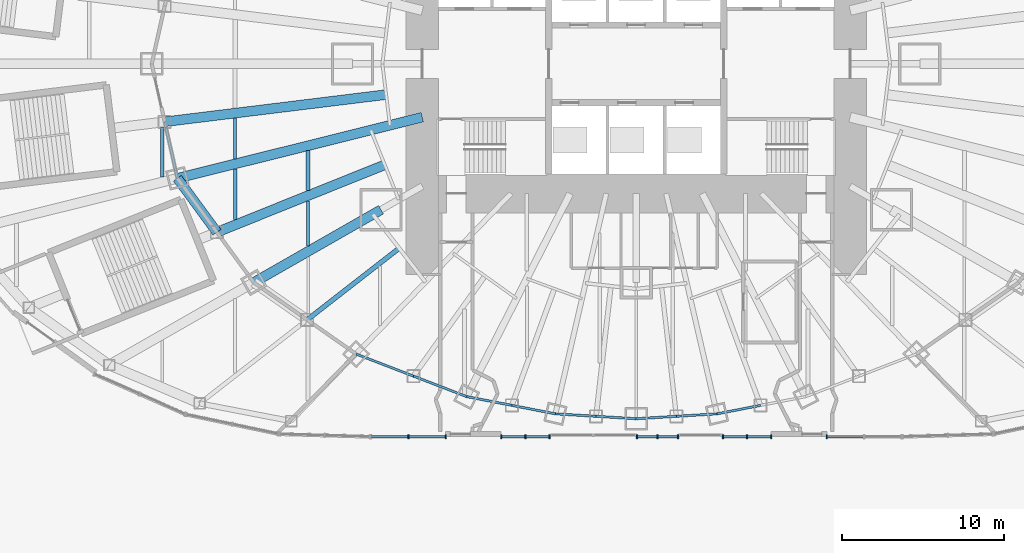
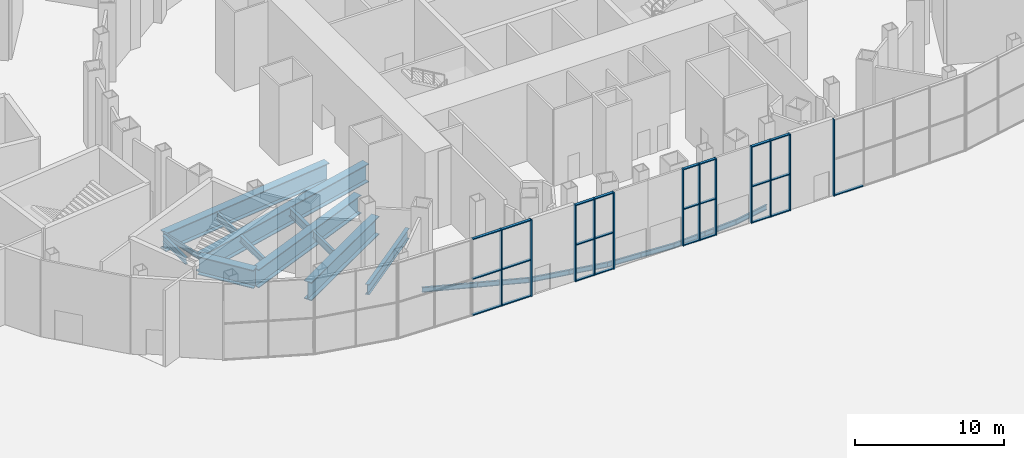
# One storey, part 3 of 47: 37 members, 21 beams, 5 elements without a shape of their own.
"""IFC4 building model written with IfcOpenShell, lengths in metres."""

from ifc_helpers import new_model, si_unit, direction, frame, origin, origin_2d, place, context, subcontext, project, spatial, rectangle, i_section, extrude, material, material_profile, profile_set, type_object, element, aggregate, save


model = new_model("IFC4")

# Units and contexts
model_context = context("Model", 3, precision=1e-05, world=origin(), true_north=direction((0.0, 1.0)))
body_context = subcontext(model_context, "Body", "Model", "MODEL_VIEW")
ifc_project = project(units=[si_unit("LENGTHUNIT", "METRE"), si_unit("AREAUNIT", "SQUARE_METRE"), si_unit("VOLUMEUNIT", "CUBIC_METRE"), si_unit("PLANEANGLEUNIT", "RADIAN"), si_unit("MASSUNIT", "GRAM", prefix="KILO")], contexts=[model_context])

# Site, building, storey
site_placement = place(None, origin())
site = spatial("IfcSite", under=ifc_project, at=site_placement, CompositionType="ELEMENT")
building_placement = place(site_placement, origin())
building = spatial("IfcBuilding", under=site, at=building_placement, Name="Lantaw Convention Tower", CompositionType="ELEMENT")
storey_placement = place(building_placement, origin())
storey = spatial("IfcBuildingStorey", under=building, at=storey_placement, Name="L00", CompositionType="ELEMENT", Elevation=0.0)

# Beams
ifc_material_1 = material(Name="Steel ASTM A572 Grade 50", Category="steel")
ifc_material_profile_1 = material_profile(ifc_material_1, i_section(OverallWidth=0.60009765625, OverallDepth=1.5, WebThickness=0.02490234375, FlangeThickness=0.06005859375, at=origin_2d()), Name="PG1500X600X25X60")
ifc_profile_set_1 = profile_set([ifc_material_profile_1], Name="Steel ASTM A572 Grade 50")
beam_type_1 = type_object("IfcBeamType", Name="Beam E PG1500X600X25X60", PredefinedType="SPANDREL", material=ifc_profile_set_1)
beam_1_placement = place(storey_placement, frame((-28.31787109375, -7.060302734375, -1.199951171875), z_axis=(0.591255937291, -0.806483984105, 0.0), x_axis=(0.806483984105, 0.591255937291, 0.0)))
element("IfcBeam", 1, at=beam_1_placement, inside=storey, type_object=beam_type_1, Name="Edge beam 14", PredefinedType="SPANDREL", context=body_context, shape_type="SweptSolid", body=[
    extrude(i_section(OverallWidth=0.60009765625, OverallDepth=1.5, WebThickness=0.02490234375, FlangeThickness=0.06005859375, at=origin_2d()), origin(), (0.0, 0.0, 1.0), 4.126708984375),
])
ifc_material_2 = material(Name="Steel ASTM A992", Category="steel")
ifc_material_profile_2 = material_profile(ifc_material_2, i_section(OverallWidth=0.140380859375, OverallDepth=0.40380859375, WebThickness=0.007080078125, FlangeThickness=0.01123046875, FilletRadius=0.01025390625, at=origin_2d()), Name="W16X31")
ifc_profile_set_2 = profile_set([ifc_material_profile_2], Name="Steel ASTM A992")
beam_type_2 = type_object("IfcBeamType", Name="Beam E W16X31", PredefinedType="SPANDREL", material=ifc_profile_set_2)
beam_2_placement = place(storey_placement, frame((-29.099365234375, -3.572998046875, -0.65185546875), z_axis=(0.218673326171, -0.97579812278, 0.0), x_axis=(0.97579812278, 0.218673326171, 0.0)))
element("IfcBeam", 2, at=beam_2_placement, inside=storey, type_object=beam_type_2, Name="Edge beam 13", PredefinedType="SPANDREL", context=body_context, shape_type="SweptSolid", body=[
    extrude(i_section(OverallWidth=0.140380859375, OverallDepth=0.40380859375, WebThickness=0.007080078125, FlangeThickness=0.01123046875, FilletRadius=0.01025390625, at=origin_2d()), origin(), (0.0, 0.0, 1.0), 3.57373046875),
])
beam_3_placement = place(storey_placement, frame((-17.290771484375, -17.9052734375, -0.65185546875), z_axis=(0.933224646415, -0.359293416754, 0.0), x_axis=(0.359293416754, 0.933224646415, 0.0)))
element("IfcBeam", 3, at=beam_3_placement, inside=storey, type_object=beam_type_2, Name="Edge beam 16", PredefinedType="SPANDREL", context=body_context, shape_type="SweptSolid", body=[
    extrude(i_section(OverallWidth=0.140380859375, OverallDepth=0.40380859375, WebThickness=0.007080078125, FlangeThickness=0.01123046875, FilletRadius=0.01025390625, at=origin_2d()), origin(), (0.0, 0.0, 1.0), 3.799072265625),
])
beam_4_placement = place(storey_placement, frame((-13.745361328125, -19.270263671875, -0.65185546875), z_axis=(0.933241815012, -0.359248820058, 0.0), x_axis=(0.359248820058, 0.933241815012, 0.0)))
element("IfcBeam", 4, at=beam_4_placement, inside=storey, type_object=beam_type_2, Name="Edge beam 16", PredefinedType="SPANDREL", context=body_context, shape_type="SweptSolid", body=[
    extrude(i_section(OverallWidth=0.140380859375, OverallDepth=0.40380859375, WebThickness=0.007080078125, FlangeThickness=0.01123046875, FilletRadius=0.01025390625, at=origin_2d()), origin(), (0.0, 0.0, 1.0), 3.517578125),
])
beam_5_placement = place(storey_placement, frame((-10.462646484375, -20.533935546875, -0.65185546875), z_axis=(0.98163593748, -0.190763954266, 0.0), x_axis=(0.190763954266, 0.98163593748, 0.0)))
element("IfcBeam", 5, at=beam_5_placement, inside=storey, type_object=beam_type_2, Name="Edge beam 17", PredefinedType="SPANDREL", context=body_context, shape_type="SweptSolid", body=[
    extrude(i_section(OverallWidth=0.140380859375, OverallDepth=0.40380859375, WebThickness=0.007080078125, FlangeThickness=0.01123046875, FilletRadius=0.01025390625, at=origin_2d()), origin(), (0.0, 0.0, 1.0), 2.84375),
])
beam_6_placement = place(storey_placement, frame((-7.671142578125, -21.076416015625, -0.65185546875), z_axis=(0.981637218105, -0.190757364289, 0.0), x_axis=(0.190757364289, 0.981637218105, 0.0)))
element("IfcBeam", 6, at=beam_6_placement, inside=storey, type_object=beam_type_2, Name="Edge beam 17", PredefinedType="SPANDREL", context=body_context, shape_type="SweptSolid", body=[
    extrude(i_section(OverallWidth=0.140380859375, OverallDepth=0.40380859375, WebThickness=0.007080078125, FlangeThickness=0.01123046875, FilletRadius=0.01025390625, at=origin_2d()), origin(), (0.0, 0.0, 1.0), 2.735107421875),
])
beam_7_placement = place(storey_placement, frame((-4.986328125, -21.59814453125, -0.65185546875), z_axis=(0.998172405641, -0.060430527186, 0.0), x_axis=(0.060430527186, 0.998172405641, 0.0)))
element("IfcBeam", 7, at=beam_7_placement, inside=storey, type_object=beam_type_2, Name="Edge beam 18", PredefinedType="SPANDREL", context=body_context, shape_type="SweptSolid", body=[
    extrude(i_section(OverallWidth=0.140380859375, OverallDepth=0.40380859375, WebThickness=0.007080078125, FlangeThickness=0.01123046875, FilletRadius=0.01025390625, at=origin_2d()), origin(), (0.0, 0.0, 1.0), 2.512939453125),
])
for number, where, z_axis, x_axis, name in (
    (8, (-2.47802734375, -21.75, -0.65185546875), (0.998175328335, -0.060382231685, 0.0), (0.060382231685, 0.998175328335, 0.0), "Edge beam 18"),
    (9, (0.0, -21.89990234375, -0.65185546875), (0.998175328335, 0.060382231685, 0.0), (-0.060382231685, 0.998175328335, 0.0), "Edge beam 19"),
):
    element("IfcBeam", number, at=place(storey_placement, frame(where, z_axis=z_axis, x_axis=x_axis)), inside=storey, type_object=beam_type_2, Name=name, PredefinedType="SPANDREL", context=body_context, shape_type="SweptSolid", body=[
        extrude(i_section(OverallWidth=0.140380859375, OverallDepth=0.40380859375, WebThickness=0.007080078125, FlangeThickness=0.01123046875, FilletRadius=0.01025390625, at=origin_2d()), origin(), (0.0, 0.0, 1.0), 2.482666015625),
    ])
beam_8_placement = place(storey_placement, frame((2.47802734375, -21.75, -0.65185546875), z_axis=(0.998172405641, 0.060430527186, 0.0), x_axis=(-0.060430527186, 0.998172405641, 0.0)))
element("IfcBeam", 10, at=beam_8_placement, inside=storey, type_object=beam_type_2, Name="Edge beam 19", PredefinedType="SPANDREL", context=body_context, shape_type="SweptSolid", body=[
    extrude(i_section(OverallWidth=0.140380859375, OverallDepth=0.40380859375, WebThickness=0.007080078125, FlangeThickness=0.01123046875, FilletRadius=0.01025390625, at=origin_2d()), origin(), (0.0, 0.0, 1.0), 2.512939453125),
])
beam_9_placement = place(storey_placement, frame((4.986328125, -21.59814453125, -0.65185546875), z_axis=(0.981637218105, 0.190757364289, 0.0), x_axis=(-0.190757364289, 0.981637218105, 0.0)))
element("IfcBeam", 11, at=beam_9_placement, inside=storey, type_object=beam_type_2, Name="Edge beam 20", PredefinedType="SPANDREL", context=body_context, shape_type="SweptSolid", body=[
    extrude(i_section(OverallWidth=0.140380859375, OverallDepth=0.40380859375, WebThickness=0.007080078125, FlangeThickness=0.01123046875, FilletRadius=0.01025390625, at=origin_2d()), origin(), (0.0, 0.0, 1.0), 2.735107421875),
])
ifc_material_profile_3 = material_profile(ifc_material_1, i_section(OverallWidth=0.60009765625, OverallDepth=1.5, WebThickness=0.02490234375, FlangeThickness=0.06005859375, at=origin_2d()), Name="PG1500X600X25X60")
ifc_profile_set_3 = profile_set([ifc_material_profile_3], Name="Steel ASTM A572 Grade 50")
beam_type_3 = type_object("IfcBeamType", Name="Beam G PG1500X600X25X60", PredefinedType="BEAM", material=ifc_profile_set_3)
beam_10_placement = place(storey_placement, frame((-15.433349609375, -1.89501953125, -1.199951171875), z_axis=(-0.99254612715, -0.121869542874, 0.0), x_axis=(0.121869542874, -0.99254612715, 0.0)))
element("IfcBeam", 12, at=beam_10_placement, inside=storey, type_object=beam_type_3, Name="Floor girder on bisector 13", PredefinedType="BEAM", context=body_context, shape_type="SweptSolid", body=[
    extrude(i_section(OverallWidth=0.60009765625, OverallDepth=1.5, WebThickness=0.02490234375, FlangeThickness=0.06005859375, at=origin_2d()), origin(), (0.0, 0.0, 1.0), 13.7685546875),
])
beam_11_placement = place(storey_placement, frame((-13.199951171875, -3.291015625, -1.199951171875), z_axis=(-0.970296233567, -0.241919860957, 0.0), x_axis=(0.241919860957, -0.970296233567, 0.0)))
element("IfcBeam", 13, at=beam_11_placement, inside=storey, type_object=beam_type_3, Name="Floor girder on ray 14", PredefinedType="BEAM", context=body_context, shape_type="SweptSolid", body=[
    extrude(i_section(OverallWidth=0.60009765625, OverallDepth=1.5, WebThickness=0.02490234375, FlangeThickness=0.06005859375, at=origin_2d()), origin(), (0.0, 0.0, 1.0), 15.580810546875),
])
beam_12_placement = place(storey_placement, frame((-15.52001953125, -6.23046875, -1.199951171875), z_axis=(-0.928018900171, -0.372533113864, 0.0), x_axis=(0.372533113864, -0.928018900171, 0.0)))
element("IfcBeam", 14, at=beam_12_placement, inside=storey, type_object=beam_type_3, Name="Floor girder on bisector 14", PredefinedType="BEAM", context=body_context, shape_type="SweptSolid", body=[
    extrude(i_section(OverallWidth=0.60009765625, OverallDepth=1.5, WebThickness=0.02490234375, FlangeThickness=0.06005859375, at=origin_2d()), origin(), (0.0, 0.0, 1.0), 11.161376953125),
])
beam_13_placement = place(storey_placement, frame((-15.75, -9.0, -1.199951171875), z_axis=(-0.868244802791, -0.496136032179, 0.0), x_axis=(0.496136032179, -0.868244802791, 0.0)))
element("IfcBeam", 15, at=beam_13_placement, inside=storey, type_object=beam_type_3, Name="Floor girder on ray 15", PredefinedType="BEAM", context=body_context, shape_type="SweptSolid", body=[
    extrude(i_section(OverallWidth=0.60009765625, OverallDepth=1.5, WebThickness=0.02490234375, FlangeThickness=0.06005859375, at=origin_2d()), origin(), (0.0, 0.0, 1.0), 9.046875),
])
ifc_material_profile_4 = material_profile(ifc_material_2, i_section(OverallWidth=0.2919921875, OverallDepth=0.845703125, WebThickness=0.015380859375, FlangeThickness=0.0244140625, FilletRadius=0.01513671875, at=origin_2d()), Name="W33X141")
ifc_profile_set_4 = profile_set([ifc_material_profile_4], Name="Steel ASTM A992")
beam_type_4 = type_object("IfcBeamType", Name="Beam G W33X141", PredefinedType="BEAM", material=ifc_profile_set_4)
beam_14_placement = place(storey_placement, frame((-14.628173828125, -11.37646484375, -0.872802734375), z_axis=(-0.789377792374, -0.613907729961, 0.0), x_axis=(0.613907729961, -0.789377792374, 0.0)))
element("IfcBeam", 16, at=beam_14_placement, inside=storey, type_object=beam_type_4, Name="Floor girder on bisector 15", PredefinedType="BEAM", context=body_context, shape_type="SweptSolid", body=[
    extrude(i_section(OverallWidth=0.2919921875, OverallDepth=0.845703125, WebThickness=0.015380859375, FlangeThickness=0.0244140625, FilletRadius=0.01513671875, at=origin_2d()), origin(), (0.0, 0.0, 1.0), 7.196044921875),
])
ifc_material_profile_5 = material_profile(ifc_material_2, i_section(OverallWidth=0.209228515625, OverallDepth=0.533447265625, WebThickness=0.01025390625, FlangeThickness=0.015625, FilletRadius=0.012939453125, at=origin_2d()), Name="W21X62")
ifc_profile_set_5 = profile_set([ifc_material_profile_5], Name="Steel ASTM A992")
beam_type_5 = type_object("IfcBeamType", Name="Beam J W21X62", PredefinedType="JOIST", material=ifc_profile_set_5)
beam_15_placement = place(storey_placement, frame((-29.25, -6.983642578125, -0.716796875), z_axis=(0.0, 1.0, 0.0), x_axis=(-1.0, 0.0, 0.0)))
element("IfcBeam", 17, at=beam_15_placement, inside=storey, type_object=beam_type_5, Name="Floor joist", PredefinedType="JOIST", context=body_context, shape_type="SweptSolid", body=[
    extrude(i_section(OverallWidth=0.209228515625, OverallDepth=0.533447265625, WebThickness=0.01025390625, FlangeThickness=0.015625, FilletRadius=0.012939453125, at=origin_2d()), origin(), (0.0, 0.0, 1.0), 3.08984375),
])
ifc_material_profile_6 = material_profile(ifc_material_2, i_section(OverallWidth=0.2099609375, OverallDepth=0.535888671875, WebThickness=0.010986328125, FlangeThickness=0.017333984375, FilletRadius=0.012939453125, at=origin_2d()), Name="W21X68")
ifc_profile_set_6 = profile_set([ifc_material_profile_6], Name="Steel ASTM A992")
beam_type_6 = type_object("IfcBeamType", Name="Beam J W21X68", PredefinedType="JOIST", material=ifc_profile_set_6)
beam_16_placement = place(storey_placement, frame((-24.75, -9.6123046875, -0.718017578125), z_axis=(0.0, 1.0, 0.0), x_axis=(-1.0, 0.0, 0.0)))
element("IfcBeam", 18, at=beam_16_placement, inside=storey, type_object=beam_type_6, Name="Floor joist", PredefinedType="JOIST", context=body_context, shape_type="SweptSolid", body=[
    extrude(i_section(OverallWidth=0.2099609375, OverallDepth=0.535888671875, WebThickness=0.010986328125, FlangeThickness=0.017333984375, FilletRadius=0.012939453125, at=origin_2d()), origin(), (0.0, 0.0, 1.0), 3.13232421875),
])
ifc_material_profile_7 = material_profile(ifc_material_2, i_section(OverallWidth=0.177978515625, OverallDepth=0.599365234375, WebThickness=0.010009765625, FlangeThickness=0.012939453125, FilletRadius=0.012939453125, at=origin_2d()), Name="W24X55")
ifc_profile_set_7 = profile_set([ifc_material_profile_7], Name="Steel ASTM A992")
beam_type_7 = type_object("IfcBeamType", Name="Beam J W24X55", PredefinedType="JOIST", material=ifc_profile_set_7)
beam_17_placement = place(storey_placement, frame((-24.75, -5.861572265625, -0.749755859375), z_axis=(0.0, 1.0, 0.0), x_axis=(-1.0, 0.0, 0.0)))
element("IfcBeam", 19, at=beam_17_placement, inside=storey, type_object=beam_type_7, Name="Floor joist", PredefinedType="JOIST", context=body_context, shape_type="SweptSolid", body=[
    extrude(i_section(OverallWidth=0.177978515625, OverallDepth=0.599365234375, WebThickness=0.010009765625, FlangeThickness=0.012939453125, FilletRadius=0.012939453125, at=origin_2d()), origin(), (0.0, 0.0, 1.0), 2.5205078125),
])
beam_18_placement = place(storey_placement, frame((-20.25, -11.225830078125, -0.749755859375), z_axis=(0.0, 1.0, 0.0), x_axis=(-1.0, 0.0, 0.0)))
element("IfcBeam", 20, at=beam_18_placement, inside=storey, type_object=beam_type_7, Name="Floor joist", PredefinedType="JOIST", context=body_context, shape_type="SweptSolid", body=[
    extrude(i_section(OverallWidth=0.177978515625, OverallDepth=0.599365234375, WebThickness=0.010009765625, FlangeThickness=0.012939453125, FilletRadius=0.012939453125, at=origin_2d()), origin(), (0.0, 0.0, 1.0), 2.7734375),
])
ifc_material_profile_8 = material_profile(ifc_material_2, i_section(OverallWidth=0.25390625, OverallDepth=0.683349609375, WebThickness=0.012451171875, FlangeThickness=0.01904296875, FilletRadius=0.01513671875, at=origin_2d()), Name="W27X94")
ifc_profile_set_8 = profile_set([ifc_material_profile_8], Name="Steel ASTM A992")
beam_type_8 = type_object("IfcBeamType", Name="Beam J W27X94", PredefinedType="JOIST", material=ifc_profile_set_8)
beam_19_placement = place(storey_placement, frame((-20.25, -7.805908203125, -0.791748046875), z_axis=(0.0, 1.0, 0.0), x_axis=(-1.0, 0.0, 0.0)))
element("IfcBeam", 21, at=beam_19_placement, inside=storey, type_object=beam_type_8, Name="Floor joist", PredefinedType="JOIST", context=body_context, shape_type="SweptSolid", body=[
    extrude(i_section(OverallWidth=0.25390625, OverallDepth=0.683349609375, WebThickness=0.012451171875, FlangeThickness=0.01904296875, FilletRadius=0.01513671875, at=origin_2d()), origin(), (0.0, 0.0, 1.0), 2.44775390625),
])

# Curtain wall, members
ifc_material_3 = material(Name="Aluminium framed curtain wall", Category="aluminium")
curtain_wall_type = type_object("IfcCurtainWallType", Name="Podium storefront curtain wall, pale aluminium", PredefinedType="USERDEFINED", material=ifc_material_3)
curtain_wall_1_placement = place(storey_placement, origin())
curtain_wall_1 = element("IfcCurtainWall", 22, at=curtain_wall_1_placement, inside=storey, type_object=curtain_wall_type, Name="Podium storefront curtain wall, pale aluminium L00", ObjectType="STOREFRONT", PredefinedType="USERDEFINED")
ifc_material_4 = material(Name="Aluminium 6063-T6", Category="aluminium")
ifc_material_profile_9 = material_profile(ifc_material_4, rectangle(XDim=0.25, YDim=0.080078125, at=origin_2d()), Name="CW-P mullion 80x250")
ifc_profile_set_9 = profile_set([ifc_material_profile_9], Name="Aluminium 6063-T6")
member_type_1 = type_object("IfcMemberType", Name="CW-P mullion 80x250", PredefinedType="MULLION", material=ifc_profile_set_9)
member_1_placement = place(storey_placement, frame((-14.0625, -23.0, 0.0), z_axis=(0.0, 0.0, 1.0), x_axis=(0.0, 1.0, 0.0)))
member_1 = element("IfcMember", 23, at=member_1_placement, type_object=member_type_1, Name="CW-P mullion 2", PredefinedType="MULLION", context=body_context, shape_type="SweptSolid", body=[
    extrude(rectangle(XDim=0.25, YDim=0.080078125, at=origin_2d()), origin(), (0.0, 0.0, 1.0), 6.300048828125),
])
member_2_placement = place(storey_placement, frame((-11.759033203125, -23.0, 0.0), z_axis=(0.0, 0.0, 1.0), x_axis=(0.0, 1.0, 0.0)))
member_2 = element("IfcMember", 24, at=member_2_placement, type_object=member_type_1, Name="CW-P mullion 3", PredefinedType="MULLION", context=body_context, shape_type="SweptSolid", body=[
    extrude(rectangle(XDim=0.25, YDim=0.080078125, at=origin_2d()), origin(), (0.0, 0.0, 1.0), 6.300048828125),
])

curtain_wall_2_placement = place(storey_placement, origin())
curtain_wall_2 = element("IfcCurtainWall", 25, at=curtain_wall_2_placement, inside=storey, type_object=curtain_wall_type, Name="Podium storefront curtain wall, pale aluminium L00", ObjectType="STOREFRONT", PredefinedType="USERDEFINED")
member_3_placement = place(storey_placement, frame((-8.331298828125, -23.0, 0.0), z_axis=(0.0, 0.0, 1.0), x_axis=(0.0, 1.0, 0.0)))
member_3 = element("IfcMember", 26, at=member_3_placement, type_object=member_type_1, Name="CW-P mullion 1", PredefinedType="MULLION", context=body_context, shape_type="SweptSolid", body=[
    extrude(rectangle(XDim=0.25, YDim=0.080078125, at=origin_2d()), origin(), (0.0, 0.0, 1.0), 6.300048828125),
])
member_4_placement = place(storey_placement, frame((-6.840576171875, -23.0, 0.0), z_axis=(0.0, 0.0, 1.0), x_axis=(0.0, 1.0, 0.0)))
member_4 = element("IfcMember", 27, at=member_4_placement, type_object=member_type_1, Name="CW-P mullion 2", PredefinedType="MULLION", context=body_context, shape_type="SweptSolid", body=[
    extrude(rectangle(XDim=0.25, YDim=0.080078125, at=origin_2d()), origin(), (0.0, 0.0, 1.0), 6.300048828125),
])
member_5_placement = place(storey_placement, frame((-5.349853515625, -23.0, 0.0), z_axis=(0.0, 0.0, 1.0), x_axis=(0.0, 1.0, 0.0)))
member_5 = element("IfcMember", 28, at=member_5_placement, type_object=member_type_1, Name="CW-P mullion 3", PredefinedType="MULLION", context=body_context, shape_type="SweptSolid", body=[
    extrude(rectangle(XDim=0.25, YDim=0.080078125, at=origin_2d()), origin(), (0.0, 0.0, 1.0), 6.300048828125),
])

curtain_wall_3_placement = place(storey_placement, origin())
curtain_wall_3 = element("IfcCurtainWall", 29, at=curtain_wall_3_placement, inside=storey, type_object=curtain_wall_type, Name="Podium storefront curtain wall, pale aluminium L00", ObjectType="STOREFRONT", PredefinedType="USERDEFINED")
member_6_placement = place(storey_placement, frame((0.0400390625, -23.0, 0.0), z_axis=(0.0, 0.0, 1.0), x_axis=(0.0, 1.0, 0.0)))
member_6 = element("IfcMember", 30, at=member_6_placement, type_object=member_type_1, Name="CW-P mullion 1", PredefinedType="MULLION", context=body_context, shape_type="SweptSolid", body=[
    extrude(rectangle(XDim=0.25, YDim=0.080078125, at=origin_2d()), origin(), (0.0, 0.0, 1.0), 6.300048828125),
])
member_7_placement = place(storey_placement, frame((1.310302734375, -23.0, 0.0), z_axis=(0.0, 0.0, 1.0), x_axis=(0.0, 1.0, 0.0)))
member_7 = element("IfcMember", 31, at=member_7_placement, type_object=member_type_1, Name="CW-P mullion 2", PredefinedType="MULLION", context=body_context, shape_type="SweptSolid", body=[
    extrude(rectangle(XDim=0.25, YDim=0.080078125, at=origin_2d()), origin(), (0.0, 0.0, 1.0), 6.300048828125),
])
member_8_placement = place(storey_placement, frame((2.58056640625, -23.0, 0.0), z_axis=(0.0, 0.0, 1.0), x_axis=(0.0, 1.0, 0.0)))
member_8 = element("IfcMember", 32, at=member_8_placement, type_object=member_type_1, Name="CW-P mullion 3", PredefinedType="MULLION", context=body_context, shape_type="SweptSolid", body=[
    extrude(rectangle(XDim=0.25, YDim=0.080078125, at=origin_2d()), origin(), (0.0, 0.0, 1.0), 6.300048828125),
])

curtain_wall_4_placement = place(storey_placement, origin())
curtain_wall_4 = element("IfcCurtainWall", 33, at=curtain_wall_4_placement, inside=storey, type_object=curtain_wall_type, Name="Podium storefront curtain wall, pale aluminium L00", ObjectType="STOREFRONT", PredefinedType="USERDEFINED")
member_9_placement = place(storey_placement, frame((5.349853515625, -23.0, 0.0), z_axis=(0.0, 0.0, 1.0), x_axis=(0.0, 1.0, 0.0)))
member_9 = element("IfcMember", 34, at=member_9_placement, type_object=member_type_1, Name="CW-P mullion 1", PredefinedType="MULLION", context=body_context, shape_type="SweptSolid", body=[
    extrude(rectangle(XDim=0.25, YDim=0.080078125, at=origin_2d()), origin(), (0.0, 0.0, 1.0), 6.300048828125),
])
member_10_placement = place(storey_placement, frame((6.840576171875, -23.0, 0.0), z_axis=(0.0, 0.0, 1.0), x_axis=(0.0, 1.0, 0.0)))
member_10 = element("IfcMember", 35, at=member_10_placement, type_object=member_type_1, Name="CW-P mullion 2", PredefinedType="MULLION", context=body_context, shape_type="SweptSolid", body=[
    extrude(rectangle(XDim=0.25, YDim=0.080078125, at=origin_2d()), origin(), (0.0, 0.0, 1.0), 6.300048828125),
])
member_11_placement = place(storey_placement, frame((8.331298828125, -23.0, 0.0), z_axis=(0.0, 0.0, 1.0), x_axis=(0.0, 1.0, 0.0)))
member_11 = element("IfcMember", 36, at=member_11_placement, type_object=member_type_1, Name="CW-P mullion 3", PredefinedType="MULLION", context=body_context, shape_type="SweptSolid", body=[
    extrude(rectangle(XDim=0.25, YDim=0.080078125, at=origin_2d()), origin(), (0.0, 0.0, 1.0), 6.300048828125),
])

# Curtain wall, member
curtain_wall_5_placement = place(storey_placement, origin())
curtain_wall_5 = element("IfcCurtainWall", 37, at=curtain_wall_5_placement, inside=storey, type_object=curtain_wall_type, Name="Podium storefront curtain wall, pale aluminium L00", ObjectType="STOREFRONT", PredefinedType="USERDEFINED")
member_12_placement = place(storey_placement, frame((11.759033203125, -23.0, 0.0), z_axis=(0.0, 0.0, 1.0), x_axis=(0.0, 1.0, 0.0)))
member_12 = element("IfcMember", 38, at=member_12_placement, type_object=member_type_1, Name="CW-P mullion 1", PredefinedType="MULLION", context=body_context, shape_type="SweptSolid", body=[
    extrude(rectangle(XDim=0.25, YDim=0.080078125, at=origin_2d()), origin(), (0.0, 0.0, 1.0), 6.300048828125),
])

# Member
ifc_material_profile_10 = material_profile(ifc_material_4, rectangle(XDim=0.199951171875, YDim=0.080078125, at=origin_2d()), Name="CW-P transom 80x200")
ifc_profile_set_10 = profile_set([ifc_material_profile_10], Name="Aluminium 6063-T6")
member_type_2 = type_object("IfcMemberType", Name="CW-P transom 80x200", PredefinedType="USERDEFINED", material=ifc_profile_set_10)
member_13_placement = place(storey_placement, frame((-16.32568359375, -23.0, 0.0400390625), z_axis=(1.0, 0.0, 0.0), x_axis=(0.0, 1.0, 0.0)))
member_13 = element("IfcMember", 39, at=member_13_placement, type_object=member_type_2, Name="CW-P transom 1.1", ObjectType="TRANSOM", PredefinedType="USERDEFINED", context=body_context, shape_type="SweptSolid", body=[
    extrude(rectangle(XDim=0.199951171875, YDim=0.080078125, at=origin_2d()), origin(), (0.0, 0.0, 1.0), 2.223388671875),
])

member_14_placement = place(storey_placement, frame((-16.32568359375, -23.0, 3.0), z_axis=(1.0, 0.0, 0.0), x_axis=(0.0, 1.0, 0.0)))
member_14 = element("IfcMember", 40, at=member_14_placement, type_object=member_type_2, Name="CW-P transom 1.2", ObjectType="TRANSOM", PredefinedType="USERDEFINED", context=body_context, shape_type="SweptSolid", body=[
    extrude(rectangle(XDim=0.199951171875, YDim=0.080078125, at=origin_2d()), origin(), (0.0, 0.0, 1.0), 2.223388671875),
])

member_15_placement = place(storey_placement, frame((-16.32568359375, -23.0, 6.260009765625), z_axis=(1.0, 0.0, 0.0), x_axis=(0.0, 1.0, 0.0)))
member_15 = element("IfcMember", 41, at=member_15_placement, type_object=member_type_2, Name="CW-P transom 1.3", ObjectType="TRANSOM", PredefinedType="USERDEFINED", context=body_context, shape_type="SweptSolid", body=[
    extrude(rectangle(XDim=0.199951171875, YDim=0.080078125, at=origin_2d()), origin(), (0.0, 0.0, 1.0), 2.223388671875),
])

member_16_placement = place(storey_placement, frame((-14.0224609375, -23.0, 0.0400390625), z_axis=(1.0, 0.0, 0.0), x_axis=(0.0, 1.0, 0.0)))
member_16 = element("IfcMember", 42, at=member_16_placement, type_object=member_type_2, Name="CW-P transom 2.1", ObjectType="TRANSOM", PredefinedType="USERDEFINED", context=body_context, shape_type="SweptSolid", body=[
    extrude(rectangle(XDim=0.199951171875, YDim=0.080078125, at=origin_2d()), origin(), (0.0, 0.0, 1.0), 2.223388671875),
])

member_17_placement = place(storey_placement, frame((-14.0224609375, -23.0, 3.0), z_axis=(1.0, 0.0, 0.0), x_axis=(0.0, 1.0, 0.0)))
member_17 = element("IfcMember", 43, at=member_17_placement, type_object=member_type_2, Name="CW-P transom 2.2", ObjectType="TRANSOM", PredefinedType="USERDEFINED", context=body_context, shape_type="SweptSolid", body=[
    extrude(rectangle(XDim=0.199951171875, YDim=0.080078125, at=origin_2d()), origin(), (0.0, 0.0, 1.0), 2.223388671875),
])

member_18_placement = place(storey_placement, frame((-14.0224609375, -23.0, 6.260009765625), z_axis=(1.0, 0.0, 0.0), x_axis=(0.0, 1.0, 0.0)))
member_18 = element("IfcMember", 44, at=member_18_placement, type_object=member_type_2, Name="CW-P transom 2.3", ObjectType="TRANSOM", PredefinedType="USERDEFINED", context=body_context, shape_type="SweptSolid", body=[
    extrude(rectangle(XDim=0.199951171875, YDim=0.080078125, at=origin_2d()), origin(), (0.0, 0.0, 1.0), 2.223388671875),
])

aggregate(curtain_wall_1, [member_1, member_2, member_13, member_14, member_15, member_16, member_17, member_18])

member_19_placement = place(storey_placement, frame((-8.291259765625, -23.0, 0.0400390625), z_axis=(1.0, 0.0, 0.0), x_axis=(0.0, 1.0, 0.0)))
member_19 = element("IfcMember", 45, at=member_19_placement, type_object=member_type_2, Name="CW-P transom 1.1", ObjectType="TRANSOM", PredefinedType="USERDEFINED", context=body_context, shape_type="SweptSolid", body=[
    extrude(rectangle(XDim=0.199951171875, YDim=0.080078125, at=origin_2d()), origin(), (0.0, 0.0, 1.0), 1.41064453125),
])

member_20_placement = place(storey_placement, frame((-8.291259765625, -23.0, 3.0), z_axis=(1.0, 0.0, 0.0), x_axis=(0.0, 1.0, 0.0)))
member_20 = element("IfcMember", 46, at=member_20_placement, type_object=member_type_2, Name="CW-P transom 1.2", ObjectType="TRANSOM", PredefinedType="USERDEFINED", context=body_context, shape_type="SweptSolid", body=[
    extrude(rectangle(XDim=0.199951171875, YDim=0.080078125, at=origin_2d()), origin(), (0.0, 0.0, 1.0), 1.41064453125),
])

member_21_placement = place(storey_placement, frame((-8.291259765625, -23.0, 6.260009765625), z_axis=(1.0, 0.0, 0.0), x_axis=(0.0, 1.0, 0.0)))
member_21 = element("IfcMember", 47, at=member_21_placement, type_object=member_type_2, Name="CW-P transom 1.3", ObjectType="TRANSOM", PredefinedType="USERDEFINED", context=body_context, shape_type="SweptSolid", body=[
    extrude(rectangle(XDim=0.199951171875, YDim=0.080078125, at=origin_2d()), origin(), (0.0, 0.0, 1.0), 1.41064453125),
])

member_22_placement = place(storey_placement, frame((-6.800537109375, -23.0, 0.0400390625), z_axis=(1.0, 0.0, 0.0), x_axis=(0.0, 1.0, 0.0)))
member_22 = element("IfcMember", 48, at=member_22_placement, type_object=member_type_2, Name="CW-P transom 2.1", ObjectType="TRANSOM", PredefinedType="USERDEFINED", context=body_context, shape_type="SweptSolid", body=[
    extrude(rectangle(XDim=0.199951171875, YDim=0.080078125, at=origin_2d()), origin(), (0.0, 0.0, 1.0), 1.41064453125),
])

member_23_placement = place(storey_placement, frame((-6.800537109375, -23.0, 3.0), z_axis=(1.0, 0.0, 0.0), x_axis=(0.0, 1.0, 0.0)))
member_23 = element("IfcMember", 49, at=member_23_placement, type_object=member_type_2, Name="CW-P transom 2.2", ObjectType="TRANSOM", PredefinedType="USERDEFINED", context=body_context, shape_type="SweptSolid", body=[
    extrude(rectangle(XDim=0.199951171875, YDim=0.080078125, at=origin_2d()), origin(), (0.0, 0.0, 1.0), 1.41064453125),
])

member_24_placement = place(storey_placement, frame((-6.800537109375, -23.0, 6.260009765625), z_axis=(1.0, 0.0, 0.0), x_axis=(0.0, 1.0, 0.0)))
member_24 = element("IfcMember", 50, at=member_24_placement, type_object=member_type_2, Name="CW-P transom 2.3", ObjectType="TRANSOM", PredefinedType="USERDEFINED", context=body_context, shape_type="SweptSolid", body=[
    extrude(rectangle(XDim=0.199951171875, YDim=0.080078125, at=origin_2d()), origin(), (0.0, 0.0, 1.0), 1.41064453125),
])

aggregate(curtain_wall_2, [member_3, member_4, member_5, member_19, member_20, member_21, member_22, member_23, member_24])

member_25_placement = place(storey_placement, frame((0.080078125, -23.0, 0.0400390625), z_axis=(1.0, 0.0, 0.0), x_axis=(0.0, 1.0, 0.0)))
member_25 = element("IfcMember", 51, at=member_25_placement, type_object=member_type_2, Name="CW-P transom 1.1", ObjectType="TRANSOM", PredefinedType="USERDEFINED", context=body_context, shape_type="SweptSolid", body=[
    extrude(rectangle(XDim=0.199951171875, YDim=0.080078125, at=origin_2d()), origin(), (0.0, 0.0, 1.0), 1.190185546875),
])

member_26_placement = place(storey_placement, frame((0.080078125, -23.0, 3.0), z_axis=(1.0, 0.0, 0.0), x_axis=(0.0, 1.0, 0.0)))
member_26 = element("IfcMember", 52, at=member_26_placement, type_object=member_type_2, Name="CW-P transom 1.2", ObjectType="TRANSOM", PredefinedType="USERDEFINED", context=body_context, shape_type="SweptSolid", body=[
    extrude(rectangle(XDim=0.199951171875, YDim=0.080078125, at=origin_2d()), origin(), (0.0, 0.0, 1.0), 1.190185546875),
])

member_27_placement = place(storey_placement, frame((0.080078125, -23.0, 6.260009765625), z_axis=(1.0, 0.0, 0.0), x_axis=(0.0, 1.0, 0.0)))
member_27 = element("IfcMember", 53, at=member_27_placement, type_object=member_type_2, Name="CW-P transom 1.3", ObjectType="TRANSOM", PredefinedType="USERDEFINED", context=body_context, shape_type="SweptSolid", body=[
    extrude(rectangle(XDim=0.199951171875, YDim=0.080078125, at=origin_2d()), origin(), (0.0, 0.0, 1.0), 1.190185546875),
])

member_28_placement = place(storey_placement, frame((1.350341796875, -23.0, 0.0400390625), z_axis=(1.0, 0.0, 0.0), x_axis=(0.0, 1.0, 0.0)))
member_28 = element("IfcMember", 54, at=member_28_placement, type_object=member_type_2, Name="CW-P transom 2.1", ObjectType="TRANSOM", PredefinedType="USERDEFINED", context=body_context, shape_type="SweptSolid", body=[
    extrude(rectangle(XDim=0.199951171875, YDim=0.080078125, at=origin_2d()), origin(), (0.0, 0.0, 1.0), 1.190185546875),
])

member_29_placement = place(storey_placement, frame((1.350341796875, -23.0, 3.0), z_axis=(1.0, 0.0, 0.0), x_axis=(0.0, 1.0, 0.0)))
member_29 = element("IfcMember", 55, at=member_29_placement, type_object=member_type_2, Name="CW-P transom 2.2", ObjectType="TRANSOM", PredefinedType="USERDEFINED", context=body_context, shape_type="SweptSolid", body=[
    extrude(rectangle(XDim=0.199951171875, YDim=0.080078125, at=origin_2d()), origin(), (0.0, 0.0, 1.0), 1.190185546875),
])

member_30_placement = place(storey_placement, frame((1.350341796875, -23.0, 6.260009765625), z_axis=(1.0, 0.0, 0.0), x_axis=(0.0, 1.0, 0.0)))
member_30 = element("IfcMember", 56, at=member_30_placement, type_object=member_type_2, Name="CW-P transom 2.3", ObjectType="TRANSOM", PredefinedType="USERDEFINED", context=body_context, shape_type="SweptSolid", body=[
    extrude(rectangle(XDim=0.199951171875, YDim=0.080078125, at=origin_2d()), origin(), (0.0, 0.0, 1.0), 1.190185546875),
])

aggregate(curtain_wall_3, [member_6, member_7, member_8, member_25, member_26, member_27, member_28, member_29, member_30])

member_31_placement = place(storey_placement, frame((5.389892578125, -23.0, 0.0400390625), z_axis=(1.0, 0.0, 0.0), x_axis=(0.0, 1.0, 0.0)))
member_31 = element("IfcMember", 57, at=member_31_placement, type_object=member_type_2, Name="CW-P transom 1.1", ObjectType="TRANSOM", PredefinedType="USERDEFINED", context=body_context, shape_type="SweptSolid", body=[
    extrude(rectangle(XDim=0.199951171875, YDim=0.080078125, at=origin_2d()), origin(), (0.0, 0.0, 1.0), 1.41064453125),
])

member_32_placement = place(storey_placement, frame((5.389892578125, -23.0, 3.0), z_axis=(1.0, 0.0, 0.0), x_axis=(0.0, 1.0, 0.0)))
member_32 = element("IfcMember", 58, at=member_32_placement, type_object=member_type_2, Name="CW-P transom 1.2", ObjectType="TRANSOM", PredefinedType="USERDEFINED", context=body_context, shape_type="SweptSolid", body=[
    extrude(rectangle(XDim=0.199951171875, YDim=0.080078125, at=origin_2d()), origin(), (0.0, 0.0, 1.0), 1.41064453125),
])

member_33_placement = place(storey_placement, frame((5.389892578125, -23.0, 6.260009765625), z_axis=(1.0, 0.0, 0.0), x_axis=(0.0, 1.0, 0.0)))
member_33 = element("IfcMember", 59, at=member_33_placement, type_object=member_type_2, Name="CW-P transom 1.3", ObjectType="TRANSOM", PredefinedType="USERDEFINED", context=body_context, shape_type="SweptSolid", body=[
    extrude(rectangle(XDim=0.199951171875, YDim=0.080078125, at=origin_2d()), origin(), (0.0, 0.0, 1.0), 1.41064453125),
])

member_34_placement = place(storey_placement, frame((6.880615234375, -23.0, 0.0400390625), z_axis=(1.0, 0.0, 0.0), x_axis=(0.0, 1.0, 0.0)))
member_34 = element("IfcMember", 60, at=member_34_placement, type_object=member_type_2, Name="CW-P transom 2.1", ObjectType="TRANSOM", PredefinedType="USERDEFINED", context=body_context, shape_type="SweptSolid", body=[
    extrude(rectangle(XDim=0.199951171875, YDim=0.080078125, at=origin_2d()), origin(), (0.0, 0.0, 1.0), 1.41064453125),
])

member_35_placement = place(storey_placement, frame((6.880615234375, -23.0, 3.0), z_axis=(1.0, 0.0, 0.0), x_axis=(0.0, 1.0, 0.0)))
member_35 = element("IfcMember", 61, at=member_35_placement, type_object=member_type_2, Name="CW-P transom 2.2", ObjectType="TRANSOM", PredefinedType="USERDEFINED", context=body_context, shape_type="SweptSolid", body=[
    extrude(rectangle(XDim=0.199951171875, YDim=0.080078125, at=origin_2d()), origin(), (0.0, 0.0, 1.0), 1.41064453125),
])

member_36_placement = place(storey_placement, frame((6.880615234375, -23.0, 6.260009765625), z_axis=(1.0, 0.0, 0.0), x_axis=(0.0, 1.0, 0.0)))
member_36 = element("IfcMember", 62, at=member_36_placement, type_object=member_type_2, Name="CW-P transom 2.3", ObjectType="TRANSOM", PredefinedType="USERDEFINED", context=body_context, shape_type="SweptSolid", body=[
    extrude(rectangle(XDim=0.199951171875, YDim=0.080078125, at=origin_2d()), origin(), (0.0, 0.0, 1.0), 1.41064453125),
])

aggregate(curtain_wall_4, [member_9, member_10, member_11, member_31, member_32, member_33, member_34, member_35, member_36])

member_37_placement = place(storey_placement, frame((11.799072265625, -23.0, 0.0400390625), z_axis=(1.0, 0.0, 0.0), x_axis=(0.0, 1.0, 0.0)))
member_37 = element("IfcMember", 63, at=member_37_placement, type_object=member_type_2, Name="CW-P transom 1.1", ObjectType="TRANSOM", PredefinedType="USERDEFINED", context=body_context, shape_type="SweptSolid", body=[
    extrude(rectangle(XDim=0.199951171875, YDim=0.080078125, at=origin_2d()), origin(), (0.0, 0.0, 1.0), 2.223388671875),
])

aggregate(curtain_wall_5, [member_12, member_37])

save(model, "model.ifc")
